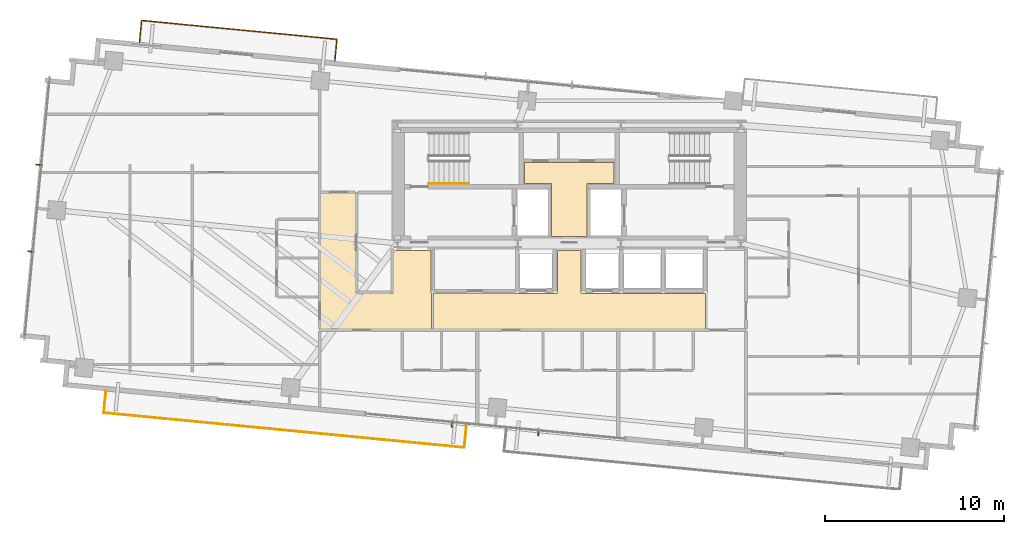
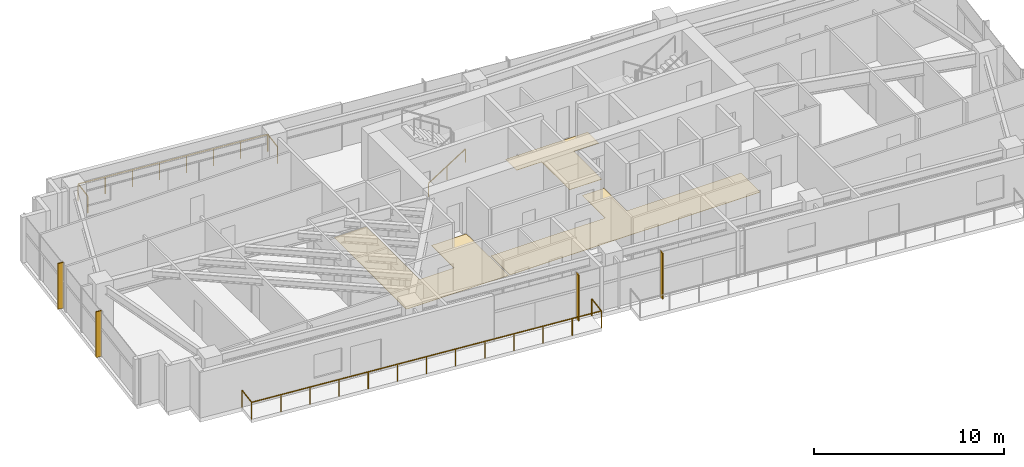
# One storey, part 19 of 20: 4 shading devices, 3 coverings, 3 railings.
"""IFC4 building model written with IfcOpenShell, lengths in metres."""

from ifc_helpers import new_model, si_unit, direction, frame, origin, origin_2d, place, context, subcontext, project, spatial, polyline, rectangle, outline, extrude, source, transform, mapped, material, layer, layer_set, type_object, type_shapes, element, save


model = new_model("IFC4")

# Units and contexts
model_context = context("Model", 3, precision=1e-05, world=origin(), true_north=direction((0.0, 1.0)))
body_context = subcontext(model_context, "Body", "Model", "MODEL_VIEW")
ifc_project = project(units=[si_unit("LENGTHUNIT", "METRE"), si_unit("AREAUNIT", "SQUARE_METRE"), si_unit("VOLUMEUNIT", "CUBIC_METRE"), si_unit("PLANEANGLEUNIT", "RADIAN"), si_unit("MASSUNIT", "GRAM", prefix="KILO")], contexts=[model_context])

# Site, building, storey
site_placement = place(None, origin())
site = spatial("IfcSite", under=ifc_project, at=site_placement, CompositionType="ELEMENT")
building_placement = place(site_placement, origin())
building = spatial("IfcBuilding", under=site, at=building_placement, Name="Astriad Promenade Condominiums", CompositionType="ELEMENT")
storey_placement = place(building_placement, frame((0.0, 0.0, 153.39990234375)))
storey = spatial("IfcBuildingStorey", under=building, at=storey_placement, Name="L44", CompositionType="ELEMENT", Elevation=153.39990234375)

# Coverings
ifc_material_1 = material(Name="Polished Lakefront Terrazzo Flooring")
ifc_layer = layer(ifc_material_1, 0.02001953125)
ifc_layer_set = layer_set([ifc_layer], Name="Polished Lakefront Terrazzo Flooring")
covering_type = type_object("IfcCoveringType", Name="COV-FLOR-TERRAZZO-20", PredefinedType="FLOORING", material=ifc_layer_set)
covering_1_placement = place(storey_placement, origin())
element("IfcCovering", 1, at=covering_1_placement, inside=storey, type_object=covering_type, Name="FLR-L44-CSL", PredefinedType="FLOORING", context=body_context, shape_type="SweptSolid", body=[
    extrude(outline(polyline([(36.97998046875, 20.699951171875), (36.97998046875, 17.7900390625), (35.02001953125, 17.7900390625), (35.02001953125, 20.699951171875), (35.019775390625, 20.703857421875), (35.019287109375, 20.707763671875), (35.018310546875, 20.711669921875), (35.01708984375, 20.71533203125), (35.015380859375, 20.718994140625), (35.01318359375, 20.72216796875), (35.010986328125, 20.725341796875), (35.00830078125, 20.728271484375), (35.00537109375, 20.73095703125), (35.002197265625, 20.7333984375), (34.998779296875, 20.7353515625), (34.995361328125, 20.737060546875), (34.99169921875, 20.73828125), (34.98779296875, 20.7392578125), (34.98388671875, 20.73974609375), (34.97998046875, 20.739990234375), (33.5, 20.739990234375), (33.5, 21.909912109375), (38.5, 21.909912109375), (38.5, 20.739990234375), (37.02001953125, 20.739990234375), (37.01611328125, 20.73974609375), (37.01220703125, 20.7392578125), (37.00830078125, 20.73828125), (37.004638671875, 20.737060546875), (37.001220703125, 20.7353515625), (36.997802734375, 20.7333984375), (36.99462890625, 20.73095703125), (36.99169921875, 20.728271484375), (36.989013671875, 20.725341796875), (36.98681640625, 20.72216796875), (36.984619140625, 20.718994140625), (36.98291015625, 20.71533203125), (36.981689453125, 20.711669921875), (36.980712890625, 20.707763671875), (36.980224609375, 20.703857421875), (36.97998046875, 20.699951171875)])), origin(), (0.0, 0.0, 1.0), 0.02001953125),
])
covering_2_placement = place(storey_placement, origin())
element("IfcCovering", 2, at=covering_2_placement, inside=storey, type_object=covering_type, Name="FLR-L44-LLB", PredefinedType="FLOORING", context=body_context, shape_type="SweptSolid", body=[
    extrude(outline(polyline([(32.9736328125, 14.6201171875), (32.974609375, 14.619140625), (32.977783203125, 14.61669921875), (32.981201171875, 14.61474609375), (32.984619140625, 14.613037109375), (32.98828125, 14.61181640625), (32.9921875, 14.61083984375), (32.99609375, 14.610107421875), (33.0, 14.610107421875), (35.300048828125, 14.610107421875), (35.303955078125, 14.610107421875), (35.307861328125, 14.61083984375), (35.3115234375, 14.61181640625), (35.315185546875, 14.613037109375), (35.31884765625, 14.61474609375), (35.322265625, 14.61669921875), (35.325439453125, 14.619140625), (35.328369140625, 14.62158203125), (35.330810546875, 14.62451171875), (35.333251953125, 14.627685546875), (35.335205078125, 14.631103515625), (35.3369140625, 14.634765625), (35.33837890625, 14.638427734375), (35.339111328125, 14.64208984375), (35.33984375, 14.64599609375), (35.340087890625, 14.64990234375), (35.340087890625, 17.010009765625), (36.659912109375, 17.010009765625), (36.659912109375, 14.64990234375), (36.66015625, 14.64599609375), (36.660888671875, 14.64208984375), (36.66162109375, 14.638427734375), (36.6630859375, 14.634765625), (36.664794921875, 14.631103515625), (36.666748046875, 14.627685546875), (36.669189453125, 14.62451171875), (36.671630859375, 14.62158203125), (36.674560546875, 14.619140625), (36.677734375, 14.61669921875), (36.68115234375, 14.61474609375), (36.684814453125, 14.613037109375), (36.6884765625, 14.61181640625), (36.692138671875, 14.61083984375), (36.696044921875, 14.610107421875), (36.699951171875, 14.610107421875), (43.610107421875, 14.610107421875), (43.610107421875, 12.590087890625), (28.389892578125, 12.590087890625), (28.389892578125, 14.6201171875), (32.9736328125, 14.6201171875)])), origin(), (0.0, 0.0, 1.0), 0.02001953125),
])
covering_3_placement = place(storey_placement, origin())
element("IfcCovering", 3, at=covering_3_placement, inside=storey, type_object=covering_type, Name="FLR-L44-COR-2", PredefinedType="FLOORING", context=body_context, shape_type="SweptSolid", body=[
    extrude(outline(polyline([(28.300048828125, 12.590087890625), (22.090087890625, 12.590087890625), (22.090087890625, 20.2099609375), (24.06005859375, 20.2099609375), (24.06005859375, 14.659912109375), (24.060302734375, 14.656005859375), (24.060791015625, 14.652099609375), (24.061767578125, 14.6484375), (24.06298828125, 14.644775390625), (24.064697265625, 14.64111328125), (24.066650390625, 14.6376953125), (24.069091796875, 14.634521484375), (24.07177734375, 14.631591796875), (24.07470703125, 14.629150390625), (24.077880859375, 14.626708984375), (24.0810546875, 14.624755859375), (24.084716796875, 14.623046875), (24.08837890625, 14.62158203125), (24.09228515625, 14.620849609375), (24.09619140625, 14.6201171875), (24.10009765625, 14.6201171875), (26.1201171875, 14.6201171875), (26.123779296875, 14.6201171875), (26.127685546875, 14.620849609375), (26.131591796875, 14.62158203125), (26.13525390625, 14.623046875), (26.138916015625, 14.624755859375), (26.14208984375, 14.626708984375), (26.1455078125, 14.629150390625), (26.148193359375, 14.631591796875), (26.15087890625, 14.634521484375), (26.1533203125, 14.6376953125), (26.1552734375, 14.64111328125), (26.156982421875, 14.644775390625), (26.158203125, 14.6484375), (26.1591796875, 14.652099609375), (26.159912109375, 14.656005859375), (26.159912109375, 14.659912109375), (26.159912109375, 17.010009765625), (28.280029296875, 17.010009765625), (28.280029296875, 14.659912109375), (28.2802734375, 14.656005859375), (28.28076171875, 14.652099609375), (28.28173828125, 14.6484375), (28.282958984375, 14.644775390625), (28.28466796875, 14.64111328125), (28.28662109375, 14.6376953125), (28.2890625, 14.634521484375), (28.291748046875, 14.631591796875), (28.294677734375, 14.629150390625), (28.2978515625, 14.626708984375), (28.300048828125, 14.62548828125), (28.300048828125, 12.590087890625)])), origin(), (0.0, 0.0, 1.0), 0.02001953125),
])

# Shading devices
ifc_material_2 = material(Name="Anodised aluminium 6063-T6 Black Fin", Category="aluminium")
shading_device_type = type_object("IfcShadingDeviceType", Name="FIN-BLACK-260", PredefinedType="USERDEFINED", material=ifc_material_2)
shared_shape_1 = source(origin(), body_context, "Body", "SweptSolid", [
    extrude(rectangle(XDim=0.06494140625, YDim=0.320068359375, at=origin_2d()), origin(), (0.0, 0.0, 1.0), 2.93994140625),
])
type_shapes(shading_device_type, [shared_shape_1])
for number, where, z_axis, x_axis, name in (
    (4, (5.880126953125, 16.947509765625, 0.000244140625), (0.0, 0.0, 1.0), (0.09584575252, 0.995396198367, 0.0), "CW-L44-W-FIN-01"),
    (5, (6.3466796875, 21.791748046875, 0.000244140625), (0.0, 0.0, 1.0), (0.09584575252, 0.995396198367, 0.0), "CW-L44-W-FIN-02"),
    (6, (34.278564453125, 6.80224609375, 0.000244140625), (0.0, 0.0, 1.0), (-0.995396198367, 0.09584575252, 0.0), "CW-L44-S-FIN-01"),
    (7, (29.44091796875, 7.26806640625, 0.000244140625), (0.0, 0.0, 1.0), (-0.995396198367, 0.09584575252, 0.0), "CW-L44-S-FIN-02"),
):
    element("IfcShadingDevice", number, at=place(storey_placement, frame(where, z_axis=z_axis, x_axis=x_axis)), inside=storey, type_object=shading_device_type, Name=name, ObjectType="FIN", PredefinedType="USERDEFINED", context=body_context, shape_type="MappedRepresentation", body=[
        mapped(shared_shape_1, transform((0.0, 0.0, 0.0), scale=1.0)),
    ])

# Railings
ifc_material_3 = material(Name="Laminated Glass and Stainless Steel Balustrade", Category="steel")
railing_type_1 = type_object("IfcRailingType", Name="GRD-BALC-1120", PredefinedType="BALUSTRADE", material=ifc_material_3)
shared_shape_2 = source(origin(), body_context, "Body", "SweptSolid", [
    extrude(rectangle(XDim=0.048095703125, YDim=0.048095703125, at=origin_2d()), frame((0.0, 0.0, 1.09619140625), z_axis=(-0.095857307208, -0.99539508571, 0.0), x_axis=(0.99539508571, -0.095857307208, 0.0)), (0.0, 0.0, 1.0), 1.219970703125),
    extrude(rectangle(XDim=0.048095703125, YDim=0.048095703125, at=origin_2d()), frame((-0.116943359375, -1.21435546875, 1.09619140625), z_axis=(0.99539625138, -0.095845201955, 0.0), x_axis=(0.095845201955, 0.99539625138, 0.0)), (0.0, 0.0, 1.0), 20.248046875),
    extrude(rectangle(XDim=0.048095703125, YDim=0.048095703125, at=origin_2d()), frame((20.037841796875, -3.155029296875, 1.09619140625), z_axis=(0.095857307208, 0.99539508571, 0.0), x_axis=(-0.99539508571, 0.095857307208, 0.0)), (0.0, 0.0, 1.0), 1.219970703125),
    extrude(rectangle(XDim=0.0419921875, YDim=0.0419921875, at=origin_2d()), origin(), (0.0, 0.0, 1.0), 1.072021484375),
    extrude(rectangle(XDim=0.0419921875, YDim=0.0419921875, at=origin_2d()), frame((-0.116943359375, -1.21435546875, 0.0)), (0.0, 0.0, 1.0), 1.072021484375),
    extrude(rectangle(XDim=0.0419921875, YDim=0.0419921875, at=origin_2d()), frame((1.5625, -1.3759765625, 0.0)), (0.0, 0.0, 1.0), 1.072021484375),
    extrude(rectangle(XDim=0.0419921875, YDim=0.0419921875, at=origin_2d()), frame((3.2421875, -1.537841796875, 0.0)), (0.0, 0.0, 1.0), 1.072021484375),
    extrude(rectangle(XDim=0.0419921875, YDim=0.0419921875, at=origin_2d()), frame((4.921875, -1.699462890625, 0.0)), (0.0, 0.0, 1.0), 1.072021484375),
    extrude(rectangle(XDim=0.0419921875, YDim=0.0419921875, at=origin_2d()), frame((6.601318359375, -1.861328125, 0.0)), (0.0, 0.0, 1.0), 1.072021484375),
    extrude(rectangle(XDim=0.0419921875, YDim=0.0419921875, at=origin_2d()), frame((8.28076171875, -2.02294921875, 0.0)), (0.0, 0.0, 1.0), 1.072021484375),
    extrude(rectangle(XDim=0.0419921875, YDim=0.0419921875, at=origin_2d()), frame((9.96044921875, -2.1845703125, 0.0)), (0.0, 0.0, 1.0), 1.072021484375),
    extrude(rectangle(XDim=0.0419921875, YDim=0.0419921875, at=origin_2d()), frame((11.64013671875, -2.346435546875, 0.0)), (0.0, 0.0, 1.0), 1.072021484375),
    extrude(rectangle(XDim=0.0419921875, YDim=0.0419921875, at=origin_2d()), frame((13.319580078125, -2.508056640625, 0.0)), (0.0, 0.0, 1.0), 1.072021484375),
    extrude(rectangle(XDim=0.0419921875, YDim=0.0419921875, at=origin_2d()), frame((14.9990234375, -2.669921875, 0.0)), (0.0, 0.0, 1.0), 1.072021484375),
    extrude(rectangle(XDim=0.0419921875, YDim=0.0419921875, at=origin_2d()), frame((16.6787109375, -2.83154296875, 0.0)), (0.0, 0.0, 1.0), 1.072021484375),
    extrude(rectangle(XDim=0.0419921875, YDim=0.0419921875, at=origin_2d()), frame((18.3583984375, -2.993408203125, 0.0)), (0.0, 0.0, 1.0), 1.072021484375),
    extrude(rectangle(XDim=0.0419921875, YDim=0.0419921875, at=origin_2d()), frame((20.037841796875, -3.155029296875, 0.0)), (0.0, 0.0, 1.0), 1.072021484375),
    extrude(rectangle(XDim=0.0419921875, YDim=0.0419921875, at=origin_2d()), frame((20.15478515625, -1.940673828125, 0.0)), (0.0, 0.0, 1.0), 1.072021484375),
])
railing_1_placement = place(storey_placement, frame((10.095458984375, 9.140869140625, 0.0)))
element("IfcRailing", 8, at=railing_1_placement, inside=storey, type_object=railing_type_1, Name="GRD-BALC-L44-SW", PredefinedType="BALUSTRADE", context=body_context, shape_type="MappedRepresentation", body=[
    mapped(shared_shape_2, transform((0.0, 0.0, 0.0), scale=1.0)),
])
shared_shape_3 = source(origin(), body_context, "Body", "SweptSolid", [
    extrude(rectangle(XDim=0.048095703125, YDim=0.048095703125, at=origin_2d()), frame((0.0, 0.0, 1.09619140625), z_axis=(0.095857307208, 0.99539508571, 0.0), x_axis=(-0.99539508571, 0.095857307208, 0.0)), (0.0, 0.0, 1.0), 1.219970703125),
    extrude(rectangle(XDim=0.048095703125, YDim=0.048095703125, at=origin_2d()), frame((0.116943359375, 1.21435546875, 1.09619140625), z_axis=(-0.995396264567, 0.095845065005, 0.0), x_axis=(-0.095845065005, -0.995396264567, 0.0)), (0.0, 0.0, 1.0), 10.97607421875),
    extrude(rectangle(XDim=0.048095703125, YDim=0.048095703125, at=origin_2d()), frame((-10.80859375, 2.266357421875, 1.09619140625), z_axis=(-0.095659020692, -0.99541416092, 0.0), x_axis=(0.99541416092, -0.095659020692, 0.0)), (0.0, 0.0, 1.0), 1.219970703125),
    extrude(rectangle(XDim=0.0419921875, YDim=0.0419921875, at=origin_2d()), origin(), (0.0, 0.0, 1.0), 1.072021484375),
    extrude(rectangle(XDim=0.0419921875, YDim=0.0419921875, at=origin_2d()), frame((0.116943359375, 1.21435546875, 0.0)), (0.0, 0.0, 1.0), 1.072021484375),
    extrude(rectangle(XDim=0.0419921875, YDim=0.0419921875, at=origin_2d()), frame((-1.44384765625, 1.36474609375, 0.0)), (0.0, 0.0, 1.0), 1.072021484375),
    extrude(rectangle(XDim=0.0419921875, YDim=0.0419921875, at=origin_2d()), frame((-3.004638671875, 1.514892578125, 0.0)), (0.0, 0.0, 1.0), 1.072021484375),
    extrude(rectangle(XDim=0.0419921875, YDim=0.0419921875, at=origin_2d()), frame((-4.5654296875, 1.665283203125, 0.0)), (0.0, 0.0, 1.0), 1.072021484375),
    extrude(rectangle(XDim=0.0419921875, YDim=0.0419921875, at=origin_2d()), frame((-6.126220703125, 1.8154296875, 0.0)), (0.0, 0.0, 1.0), 1.072021484375),
    extrude(rectangle(XDim=0.0419921875, YDim=0.0419921875, at=origin_2d()), frame((-7.68701171875, 1.9658203125, 0.0)), (0.0, 0.0, 1.0), 1.072021484375),
    extrude(rectangle(XDim=0.0419921875, YDim=0.0419921875, at=origin_2d()), frame((-9.247802734375, 2.115966796875, 0.0)), (0.0, 0.0, 1.0), 1.072021484375),
    extrude(rectangle(XDim=0.0419921875, YDim=0.0419921875, at=origin_2d()), frame((-10.80859375, 2.266357421875, 0.0)), (0.0, 0.0, 1.0), 1.072021484375),
    extrude(rectangle(XDim=0.0419921875, YDim=0.0419921875, at=origin_2d()), frame((-10.92529296875, 1.052001953125, 0.0)), (0.0, 0.0, 1.0), 1.072021484375),
])
type_shapes(railing_type_1, [shared_shape_2, shared_shape_3])
railing_2_placement = place(storey_placement, frame((22.8994140625, 27.5986328125, 0.0)))
element("IfcRailing", 9, at=railing_2_placement, inside=storey, type_object=railing_type_1, Name="GRD-BALC-L44-NW", PredefinedType="BALUSTRADE", context=body_context, shape_type="MappedRepresentation", body=[
    mapped(shared_shape_3, transform((0.0, 0.0, 0.0), scale=1.0)),
])
ifc_material_4 = material(Name="Brushed Stainless Steel Handrail", Category="steel")
railing_type_2 = type_object("IfcRailingType", Name="HRL-STAIR-920", PredefinedType="HANDRAIL", material=ifc_material_4)
shared_shape_4 = source(origin(), body_context, "Body", "SweptSolid", [
    extrude(rectangle(XDim=0.048095703125, YDim=0.048095703125, at=origin_2d()), frame((0.0, 0.0, 0.8759765625), z_axis=(0.8442293374, 0.0, 0.53598211339), x_axis=(0.0, 1.0, 0.0)), (0.0, 0.0, 1.0), 2.6533203125),
    extrude(rectangle(XDim=0.0419921875, YDim=0.0419921875, at=origin_2d()), origin(), (0.0, 0.0, 1.0), 0.851806640625),
    extrude(rectangle(XDim=0.0419921875, YDim=0.0419921875, at=origin_2d()), frame((1.1201171875, 0.0, 0.7109375)), (0.0, 0.0, 1.0), 0.851806640625),
    extrude(rectangle(XDim=0.0419921875, YDim=0.0419921875, at=origin_2d()), frame((2.239990234375, 0.0, 1.422119140625)), (0.0, 0.0, 1.0), 0.851806640625),
])
type_shapes(railing_type_2, [shared_shape_4])
railing_3_placement = place(storey_placement, frame((28.14990234375, 20.75, 0.177978515625)))
element("IfcRailing", 10, at=railing_3_placement, inside=storey, type_object=railing_type_2, Name="L44 ST-1 stair handrail 1", PredefinedType="HANDRAIL", context=body_context, shape_type="MappedRepresentation", body=[
    mapped(shared_shape_4, transform((0.0, 0.0, 0.0), scale=1.0)),
])

save(model, "model.ifc")
